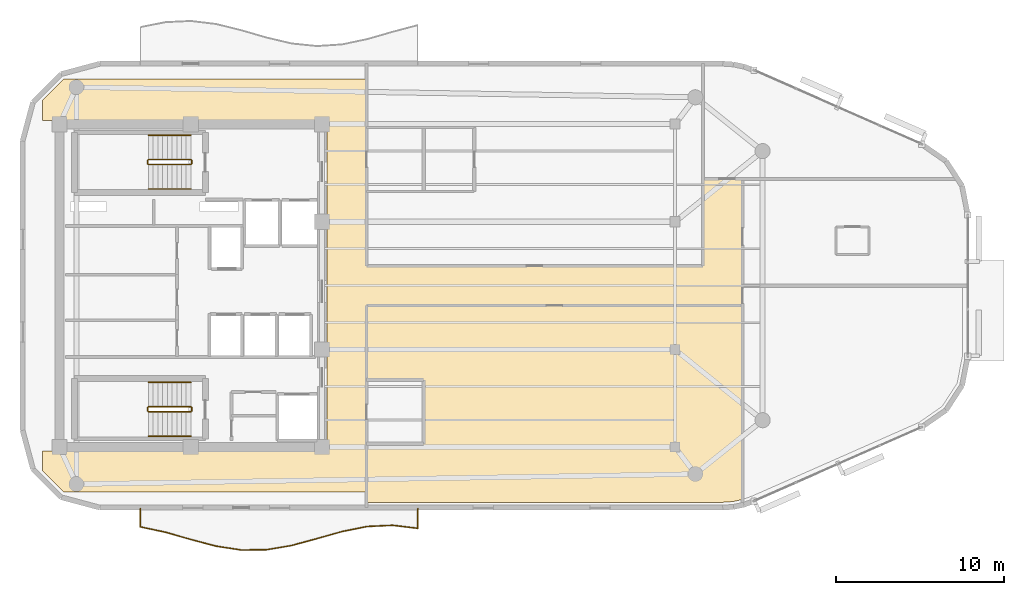
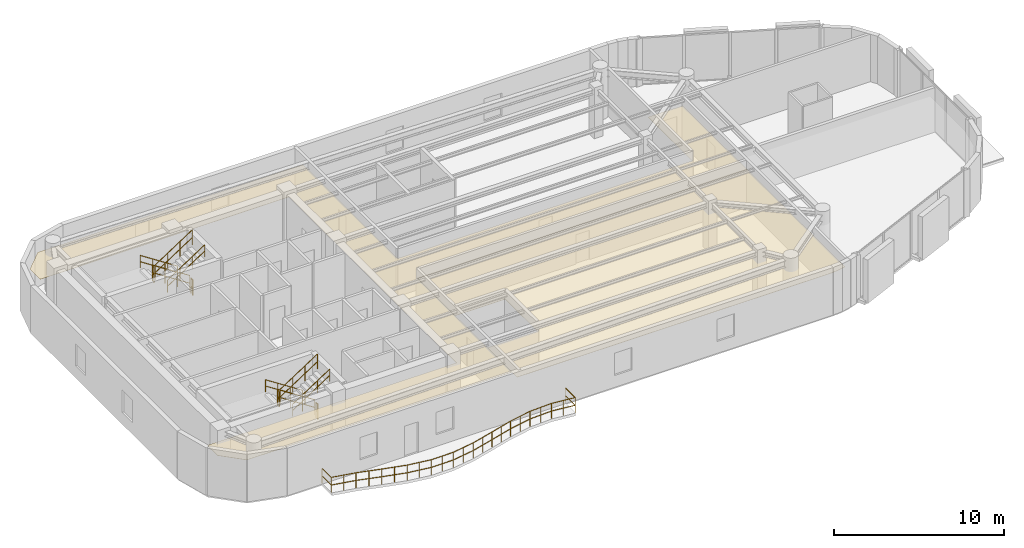
# One storey, part 11 of 12: 13 railings, 2 coverings.
"""IFC4 building model written with IfcOpenShell, lengths in metres."""

from ifc_helpers import new_model, si_unit, direction, frame, origin, origin_2d, place, context, subcontext, project, spatial, polyline, circle, outline, extrude, material, layer, layer_set, type_object, element, save


model = new_model("IFC4")

# Units and contexts
model_context = context("Model", 3, precision=1e-05, world=origin(), true_north=direction((0.0, 1.0)))
body_context = subcontext(model_context, "Body", "Model", "MODEL_VIEW")
ifc_project = project(units=[si_unit("LENGTHUNIT", "METRE"), si_unit("AREAUNIT", "SQUARE_METRE"), si_unit("VOLUMEUNIT", "CUBIC_METRE"), si_unit("PLANEANGLEUNIT", "RADIAN"), si_unit("MASSUNIT", "GRAM", prefix="KILO")], contexts=[model_context])

# Site, building, storey
site_placement = place(None, origin())
site = spatial("IfcSite", under=ifc_project, at=site_placement, CompositionType="ELEMENT")
building_placement = place(site_placement, origin())
building = spatial("IfcBuilding", under=site, at=building_placement, Name="An Khanh Terracotta Commons", CompositionType="ELEMENT")
storey_placement = place(building_placement, frame((0.0, 0.0, 291.64990234375)))
storey = spatial("IfcBuildingStorey", under=building, at=storey_placement, Name="L76", CompositionType="ELEMENT", Elevation=291.64990234375)

# Coverings
ifc_material_1 = material(Name="Perforated Mineral-Fibre Acoustic Tile")
ifc_layer = layer(ifc_material_1, 0.02001953125, Name="Perforated Mineral-Fibre Acoustic Tile")
ifc_layer_set = layer_set([ifc_layer], Name="Perforated Mineral-Fibre Acoustic Tile")
covering_type = type_object("IfcCoveringType", Name="CEIL-ACOUSTIC-18", PredefinedType="CEILING", material=ifc_layer_set)
covering_1_placement = place(storey_placement, frame((0.0, 0.0, 2.650146484375)))
element("IfcCovering", 1, at=covering_1_placement, inside=storey, type_object=covering_type, Name="L76 Corridor Ceiling", PredefinedType="CEILING", context=body_context, shape_type="SweptSolid", body=[
    extrude(outline(polyline([(21.84912109375, 11.719970703125), (20.60009765625, 12.968994140625), (20.60009765625, 14.179931640625), (37.5, 14.179931640625), (37.5, 33.820068359375), (20.60009765625, 33.820068359375), (20.60009765625, 35.031005859375), (21.84912109375, 36.280029296875), (37.5, 36.280029296875), (39.85009765625, 36.280029296875), (39.85009765625, 33.820068359375), (39.85009765625, 25.179931640625), (59.85009765625, 25.179931640625), (59.85009765625, 30.35009765625), (62.199951171875, 30.35009765625), (62.199951171875, 25.179931640625), (62.199951171875, 22.820068359375), (59.85009765625, 22.820068359375), (39.85009765625, 22.820068359375), (39.85009765625, 14.179931640625), (39.85009765625, 11.719970703125), (37.5, 11.719970703125), (21.84912109375, 11.719970703125)])), origin(), (0.0, 0.0, 1.0), 0.02001953125),
])
covering_2_placement = place(storey_placement, frame((0.0, 0.0, 2.650146484375)))
element("IfcCovering", 2, at=covering_2_placement, inside=storey, type_object=covering_type, Name="L76 Academic Seminar Room Ceiling", PredefinedType="CEILING", context=body_context, shape_type="SweptSolid", body=[
    extrude(outline(polyline([(61.62109375, 11.162109375), (61.01904296875, 11.1201171875), (39.85009765625, 11.1201171875), (39.85009765625, 11.719970703125), (39.85009765625, 14.179931640625), (39.85009765625, 14.60009765625), (43.25, 14.60009765625), (43.25, 18.39990234375), (39.85009765625, 18.39990234375), (39.85009765625, 22.820068359375), (59.85009765625, 22.820068359375), (62.199951171875, 22.820068359375), (62.199951171875, 11.282958984375), (61.62109375, 11.162109375)])), origin(), (0.0, 0.0, 1.0), 0.02001953125),
])

# Railings
ifc_material_2 = material(Name="Brushed Stainless Steel 316", Category="steel")
railing_type_1 = type_object("IfcRailingType", Name="RAIL-BALUSTRADE-1100", PredefinedType="BALUSTRADE", material=ifc_material_2)
railing_1_placement = place(storey_placement, frame((26.39990234375, 10.739990234375, 0.0)))
element("IfcRailing", 3, at=railing_1_placement, inside=storey, type_object=railing_type_1, Name="L76 S Wave Balcony Guard Balustrade", PredefinedType="BALUSTRADE", context=body_context, shape_type="SweptSolid", body=[
    extrude(circle(Radius=0.02392578125, at=origin_2d()), frame((0.0, 0.0, 1.076171875), z_axis=(0.0, -1.0, 0.0), x_axis=(1.0, 0.0, 0.0)), (0.0, 0.0, 1.0), 1.080078125),
    extrude(circle(Radius=0.02392578125, at=origin_2d()), frame((0.0, 0.0, 0.52587890625), z_axis=(0.0, -1.0, 0.0), x_axis=(1.0, 0.0, 0.0)), (0.0, 0.0, 1.0), 1.080078125),
    extrude(circle(Radius=0.02392578125, at=origin_2d()), frame((0.0, -1.080078125, 1.076171875), z_axis=(0.978275241205, -0.207310280607, 0.0), x_axis=(0.207310280607, 0.978275241205, 0.0)), (0.0, 0.0, 1.0), 1.533203125),
    extrude(circle(Radius=0.02392578125, at=origin_2d()), frame((0.0, -1.080078125, 0.52587890625), z_axis=(0.978275241205, -0.207310280607, 0.0), x_axis=(0.207310280607, 0.978275241205, 0.0)), (0.0, 0.0, 1.0), 1.533203125),
    extrude(circle(Radius=0.02392578125, at=origin_2d()), frame((1.5, -1.39794921875, 1.076171875), z_axis=(0.961293347262, -0.275526950607, 0.0), x_axis=(0.275526950607, 0.961293347262, 0.0)), (0.0, 0.0, 1.0), 1.560302734375),
    extrude(circle(Radius=0.02392578125, at=origin_2d()), frame((1.5, -1.39794921875, 0.52587890625), z_axis=(0.961293347262, -0.275526950607, 0.0), x_axis=(0.275526950607, 0.961293347262, 0.0)), (0.0, 0.0, 1.0), 1.560302734375),
    extrude(circle(Radius=0.02392578125, at=origin_2d()), frame((3.0, -1.827880859375, 1.076171875), z_axis=(0.966680039045, -0.255987699142, 0.0), x_axis=(0.255987699142, 0.966680039045, 0.0)), (0.0, 0.0, 1.0), 1.5517578125),
    extrude(circle(Radius=0.02392578125, at=origin_2d()), frame((3.0, -1.827880859375, 0.52587890625), z_axis=(0.966680039045, -0.255987699142, 0.0), x_axis=(0.255987699142, 0.966680039045, 0.0)), (0.0, 0.0, 1.0), 1.5517578125),
    extrude(circle(Radius=0.02392578125, at=origin_2d()), frame((4.5, -2.22509765625, 1.076171875), z_axis=(0.988545890906, -0.15092058035, 0.0), x_axis=(0.15092058035, 0.988545890906, 0.0)), (0.0, 0.0, 1.0), 1.517333984375),
    extrude(circle(Radius=0.02392578125, at=origin_2d()), frame((4.5, -2.22509765625, 0.52587890625), z_axis=(0.988545890906, -0.15092058035, 0.0), x_axis=(0.15092058035, 0.988545890906, 0.0)), (0.0, 0.0, 1.0), 1.517333984375),
    extrude(circle(Radius=0.02392578125, at=origin_2d()), frame((6.0, -2.4541015625, 1.076171875), z_axis=(0.999955445195, 0.009439683565, 0.0), x_axis=(-0.009439683565, 0.999955445195, 0.0)), (0.0, 0.0, 1.0), 1.5),
    extrude(circle(Radius=0.02392578125, at=origin_2d()), frame((6.0, -2.4541015625, 0.52587890625), z_axis=(0.999955445195, 0.009439683565, 0.0), x_axis=(-0.009439683565, 0.999955445195, 0.0)), (0.0, 0.0, 1.0), 1.5),
    extrude(circle(Radius=0.02392578125, at=origin_2d()), frame((7.5, -2.43994140625, 1.076171875), z_axis=(0.986079829755, 0.16627257546, 0.0), x_axis=(-0.16627257546, 0.986079829755, 0.0)), (0.0, 0.0, 1.0), 1.521240234375),
    extrude(circle(Radius=0.02392578125, at=origin_2d()), frame((7.5, -2.43994140625, 0.52587890625), z_axis=(0.986079829755, 0.16627257546, 0.0), x_axis=(-0.16627257546, 0.986079829755, 0.0)), (0.0, 0.0, 1.0), 1.521240234375),
    extrude(circle(Radius=0.02392578125, at=origin_2d()), frame((9.0, -2.18701171875, 1.076171875), z_axis=(0.964948425307, 0.262439586375, 0.0), x_axis=(-0.262439586375, 0.964948425307, 0.0)), (0.0, 0.0, 1.0), 1.554443359375),
    extrude(circle(Radius=0.02392578125, at=origin_2d()), frame((9.0, -2.18701171875, 0.52587890625), z_axis=(0.964948425307, 0.262439586375, 0.0), x_axis=(-0.262439586375, 0.964948425307, 0.0)), (0.0, 0.0, 1.0), 1.554443359375),
    extrude(circle(Radius=0.02392578125, at=origin_2d()), frame((10.5, -1.779052734375, 1.076171875), z_axis=(0.962282666556, 0.272051593719, 0.0), x_axis=(-0.272051593719, 0.962282666556, 0.0)), (0.0, 0.0, 1.0), 1.558837890625),
    extrude(circle(Radius=0.02392578125, at=origin_2d()), frame((10.5, -1.779052734375, 0.52587890625), z_axis=(0.962282666556, 0.272051593719, 0.0), x_axis=(-0.272051593719, 0.962282666556, 0.0)), (0.0, 0.0, 1.0), 1.558837890625),
    extrude(circle(Radius=0.02392578125, at=origin_2d()), frame((12.0, -1.35498046875, 1.076171875), z_axis=(0.980819402607, 0.194918699639, 0.0), x_axis=(-0.194918699639, 0.980819402607, 0.0)), (0.0, 0.0, 1.0), 1.529296875),
    extrude(circle(Radius=0.02392578125, at=origin_2d()), frame((12.0, -1.35498046875, 0.52587890625), z_axis=(0.980819402607, 0.194918699639, 0.0), x_axis=(-0.194918699639, 0.980819402607, 0.0)), (0.0, 0.0, 1.0), 1.529296875),
    extrude(circle(Radius=0.02392578125, at=origin_2d()), frame((13.5, -1.056884765625, 1.076171875), z_axis=(0.998887913276, 0.047148029761, 0.0), x_axis=(-0.047148029761, 0.998887913276, 0.0)), (0.0, 0.0, 1.0), 1.501708984375),
    extrude(circle(Radius=0.02392578125, at=origin_2d()), frame((13.5, -1.056884765625, 0.52587890625), z_axis=(0.998887913276, 0.047148029761, 0.0), x_axis=(-0.047148029761, 0.998887913276, 0.0)), (0.0, 0.0, 1.0), 1.501708984375),
    extrude(circle(Radius=0.02392578125, at=origin_2d()), frame((15.0, -0.986083984375, 1.076171875), z_axis=(0.99288219023, -0.11910061429, 0.0), x_axis=(0.11910061429, 0.99288219023, 0.0)), (0.0, 0.0, 1.0), 1.5107421875),
    extrude(circle(Radius=0.02392578125, at=origin_2d()), frame((15.0, -0.986083984375, 0.52587890625), z_axis=(0.99288219023, -0.11910061429, 0.0), x_axis=(0.11910061429, 0.99288219023, 0.0)), (0.0, 0.0, 1.0), 1.5107421875),
    extrude(circle(Radius=0.02392578125, at=origin_2d()), frame((16.5, -1.166015625, 1.076171875), z_axis=(0.0, 1.0, 0.0), x_axis=(-1.0, 0.0, 0.0)), (0.0, 0.0, 1.0), 1.166015625),
    extrude(circle(Radius=0.02392578125, at=origin_2d()), frame((16.5, -1.166015625, 0.52587890625), z_axis=(0.0, 1.0, 0.0), x_axis=(-1.0, 0.0, 0.0)), (0.0, 0.0, 1.0), 1.166015625),
    extrude(circle(Radius=0.02099609375, at=origin_2d()), origin(), (0.0, 0.0, 1.0), 1.052001953125),
    extrude(circle(Radius=0.02099609375, at=origin_2d()), frame((0.0, -1.080078125, 0.0)), (0.0, 0.0, 1.0), 1.052001953125),
    extrude(circle(Radius=0.02099609375, at=origin_2d()), frame((0.75, -1.239013671875, 0.0)), (0.0, 0.0, 1.0), 1.052001953125),
    extrude(circle(Radius=0.02099609375, at=origin_2d()), frame((1.5, -1.39794921875, 0.0)), (0.0, 0.0, 1.0), 1.052001953125),
    extrude(circle(Radius=0.02099609375, at=origin_2d()), frame((2.25, -1.61279296875, 0.0)), (0.0, 0.0, 1.0), 1.052001953125),
    extrude(circle(Radius=0.02099609375, at=origin_2d()), frame((3.0, -1.827880859375, 0.0)), (0.0, 0.0, 1.0), 1.052001953125),
    extrude(circle(Radius=0.02099609375, at=origin_2d()), frame((3.75, -2.0263671875, 0.0)), (0.0, 0.0, 1.0), 1.052001953125),
    extrude(circle(Radius=0.02099609375, at=origin_2d()), frame((4.5, -2.22509765625, 0.0)), (0.0, 0.0, 1.0), 1.052001953125),
    extrude(circle(Radius=0.02099609375, at=origin_2d()), frame((5.25, -2.339599609375, 0.0)), (0.0, 0.0, 1.0), 1.052001953125),
    extrude(circle(Radius=0.02099609375, at=origin_2d()), frame((6.0, -2.4541015625, 0.0)), (0.0, 0.0, 1.0), 1.052001953125),
    extrude(circle(Radius=0.02099609375, at=origin_2d()), frame((6.75, -2.447021484375, 0.0)), (0.0, 0.0, 1.0), 1.052001953125),
    extrude(circle(Radius=0.02099609375, at=origin_2d()), frame((7.5, -2.43994140625, 0.0)), (0.0, 0.0, 1.0), 1.052001953125),
    extrude(circle(Radius=0.02099609375, at=origin_2d()), frame((8.25, -2.3134765625, 0.0)), (0.0, 0.0, 1.0), 1.052001953125),
    extrude(circle(Radius=0.02099609375, at=origin_2d()), frame((9.0, -2.18701171875, 0.0)), (0.0, 0.0, 1.0), 1.052001953125),
    extrude(circle(Radius=0.02099609375, at=origin_2d()), frame((9.75, -1.98291015625, 0.0)), (0.0, 0.0, 1.0), 1.052001953125),
    extrude(circle(Radius=0.02099609375, at=origin_2d()), frame((10.5, -1.779052734375, 0.0)), (0.0, 0.0, 1.0), 1.052001953125),
    extrude(circle(Radius=0.02099609375, at=origin_2d()), frame((11.25, -1.56689453125, 0.0)), (0.0, 0.0, 1.0), 1.052001953125),
    extrude(circle(Radius=0.02099609375, at=origin_2d()), frame((12.0, -1.35498046875, 0.0)), (0.0, 0.0, 1.0), 1.052001953125),
    extrude(circle(Radius=0.02099609375, at=origin_2d()), frame((12.75, -1.2060546875, 0.0)), (0.0, 0.0, 1.0), 1.052001953125),
    extrude(circle(Radius=0.02099609375, at=origin_2d()), frame((13.5, -1.056884765625, 0.0)), (0.0, 0.0, 1.0), 1.052001953125),
    extrude(circle(Radius=0.02099609375, at=origin_2d()), frame((14.25, -1.021484375, 0.0)), (0.0, 0.0, 1.0), 1.052001953125),
    extrude(circle(Radius=0.02099609375, at=origin_2d()), frame((15.0, -0.986083984375, 0.0)), (0.0, 0.0, 1.0), 1.052001953125),
    extrude(circle(Radius=0.02099609375, at=origin_2d()), frame((15.75, -1.076171875, 0.0)), (0.0, 0.0, 1.0), 1.052001953125),
    extrude(circle(Radius=0.02099609375, at=origin_2d()), frame((16.5, -1.166015625, 0.0)), (0.0, 0.0, 1.0), 1.052001953125),
    extrude(circle(Radius=0.02099609375, at=origin_2d()), frame((16.5, 0.0, 0.0)), (0.0, 0.0, 1.0), 1.052001953125),
])
railing_type_2 = type_object("IfcRailingType", Name="RAIL-HANDRAIL-900", PredefinedType="HANDRAIL", material=ifc_material_2)
railing_2_placement = place(storey_placement, frame((29.409912109375, 32.949951171875, 0.1826171875)))
element("IfcRailing", 4, at=railing_2_placement, inside=storey, type_object=railing_type_2, Name="L76 ST-01 stair handrail 1", PredefinedType="HANDRAIL", context=body_context, shape_type="SweptSolid", body=[
    extrude(circle(Radius=0.02392578125, at=origin_2d()), frame((0.0, 0.0, 0.8759765625), z_axis=(-0.837749427056, 0.0, 0.546054848405), x_axis=(0.0, -1.0, 0.0)), (0.0, 0.0, 1.0), 3.008056640625),
    extrude(circle(Radius=0.02392578125, at=origin_2d()), frame((0.0, 0.0, 0.42578125), z_axis=(-0.837749427056, 0.0, 0.546054848405), x_axis=(0.0, -1.0, 0.0)), (0.0, 0.0, 1.0), 3.008056640625),
    extrude(circle(Radius=0.02099609375, at=origin_2d()), origin(), (0.0, 0.0, 1.0), 0.851806640625),
    extrude(circle(Radius=0.02099609375, at=origin_2d()), frame((-0.840087890625, 0.0, 0.547607421875)), (0.0, 0.0, 1.0), 0.851806640625),
    extrude(circle(Radius=0.02099609375, at=origin_2d()), frame((-1.679931640625, 0.0, 1.094970703125)), (0.0, 0.0, 1.0), 0.851806640625),
    extrude(circle(Radius=0.02099609375, at=origin_2d()), frame((-2.52001953125, 0.0, 1.642578125)), (0.0, 0.0, 1.0), 0.851806640625),
])
railing_3_placement = place(storey_placement, frame((26.889892578125, 29.75, 2.007568359375)))
element("IfcRailing", 5, at=railing_3_placement, inside=storey, type_object=railing_type_2, Name="L76 ST-01 stair handrail 2", PredefinedType="HANDRAIL", context=body_context, shape_type="SweptSolid", body=[
    extrude(circle(Radius=0.02392578125, at=origin_2d()), frame((0.0, 0.0, 0.8759765625), z_axis=(0.837749427056, 0.0, 0.546054848405), x_axis=(0.0, 1.0, 0.0)), (0.0, 0.0, 1.0), 3.008056640625),
    extrude(circle(Radius=0.02392578125, at=origin_2d()), frame((0.0, 0.0, 0.42578125), z_axis=(0.837749427056, 0.0, 0.546054848405), x_axis=(0.0, 1.0, 0.0)), (0.0, 0.0, 1.0), 3.008056640625),
    extrude(circle(Radius=0.02099609375, at=origin_2d()), origin(), (0.0, 0.0, 1.0), 0.851806640625),
    extrude(circle(Radius=0.02099609375, at=origin_2d()), frame((0.840087890625, 0.0, 0.547607421875)), (0.0, 0.0, 1.0), 0.851806640625),
    extrude(circle(Radius=0.02099609375, at=origin_2d()), frame((1.679931640625, 0.0, 1.094970703125)), (0.0, 0.0, 1.0), 0.851806640625),
    extrude(circle(Radius=0.02099609375, at=origin_2d()), frame((2.52001953125, 0.0, 1.642578125)), (0.0, 0.0, 1.0), 0.851806640625),
])
railing_4_placement = place(storey_placement, frame((29.409912109375, 18.25, 0.1826171875)))
element("IfcRailing", 6, at=railing_4_placement, inside=storey, type_object=railing_type_2, Name="L76 ST-02 stair handrail 1", PredefinedType="HANDRAIL", context=body_context, shape_type="SweptSolid", body=[
    extrude(circle(Radius=0.02392578125, at=origin_2d()), frame((0.0, 0.0, 0.8759765625), z_axis=(-0.837749427056, 0.0, 0.546054848405), x_axis=(0.0, -1.0, 0.0)), (0.0, 0.0, 1.0), 3.008056640625),
    extrude(circle(Radius=0.02392578125, at=origin_2d()), frame((0.0, 0.0, 0.42578125), z_axis=(-0.837749427056, 0.0, 0.546054848405), x_axis=(0.0, -1.0, 0.0)), (0.0, 0.0, 1.0), 3.008056640625),
    extrude(circle(Radius=0.02099609375, at=origin_2d()), origin(), (0.0, 0.0, 1.0), 0.851806640625),
    extrude(circle(Radius=0.02099609375, at=origin_2d()), frame((-0.840087890625, 0.0, 0.547607421875)), (0.0, 0.0, 1.0), 0.851806640625),
    extrude(circle(Radius=0.02099609375, at=origin_2d()), frame((-1.679931640625, 0.0, 1.094970703125)), (0.0, 0.0, 1.0), 0.851806640625),
    extrude(circle(Radius=0.02099609375, at=origin_2d()), frame((-2.52001953125, 0.0, 1.642578125)), (0.0, 0.0, 1.0), 0.851806640625),
])
railing_5_placement = place(storey_placement, frame((26.889892578125, 15.050048828125, 2.007568359375)))
element("IfcRailing", 7, at=railing_5_placement, inside=storey, type_object=railing_type_2, Name="L76 ST-02 stair handrail 2", PredefinedType="HANDRAIL", context=body_context, shape_type="SweptSolid", body=[
    extrude(circle(Radius=0.02392578125, at=origin_2d()), frame((0.0, 0.0, 0.8759765625), z_axis=(0.837749427056, 0.0, 0.546054848405), x_axis=(0.0, 1.0, 0.0)), (0.0, 0.0, 1.0), 3.008056640625),
    extrude(circle(Radius=0.02392578125, at=origin_2d()), frame((0.0, 0.0, 0.42578125), z_axis=(0.837749427056, 0.0, 0.546054848405), x_axis=(0.0, 1.0, 0.0)), (0.0, 0.0, 1.0), 3.008056640625),
    extrude(circle(Radius=0.02099609375, at=origin_2d()), origin(), (0.0, 0.0, 1.0), 0.851806640625),
    extrude(circle(Radius=0.02099609375, at=origin_2d()), frame((0.840087890625, 0.0, 0.547607421875)), (0.0, 0.0, 1.0), 0.851806640625),
    extrude(circle(Radius=0.02099609375, at=origin_2d()), frame((1.679931640625, 0.0, 1.094970703125)), (0.0, 0.0, 1.0), 0.851806640625),
    extrude(circle(Radius=0.02099609375, at=origin_2d()), frame((2.52001953125, 0.0, 1.642578125)), (0.0, 0.0, 1.0), 0.851806640625),
])
ifc_material_3 = material(Name="Powder-Coated Steel S355J2", Category="steel")
railing_type_3 = type_object("IfcRailingType", Name="RAIL-STAIR-GUARD-1100", PredefinedType="BALUSTRADE", material=ifc_material_3)
railing_6_placement = place(storey_placement, frame((29.409912109375, 31.5, 0.1826171875)))
element("IfcRailing", 8, at=railing_6_placement, inside=storey, type_object=railing_type_3, Name="L76 ST-01 stair guard 1", PredefinedType="BALUSTRADE", context=body_context, shape_type="SweptSolid", body=[
    extrude(circle(Radius=0.02392578125, at=origin_2d()), frame((0.0, 0.0, 1.076171875), z_axis=(-0.837749427056, 0.0, 0.546054848405), x_axis=(0.0, -1.0, 0.0)), (0.0, 0.0, 1.0), 3.008056640625),
    extrude(circle(Radius=0.02392578125, at=origin_2d()), frame((0.0, 0.0, 0.52587890625), z_axis=(-0.837749427056, 0.0, 0.546054848405), x_axis=(0.0, -1.0, 0.0)), (0.0, 0.0, 1.0), 3.008056640625),
    extrude(circle(Radius=0.02099609375, at=origin_2d()), origin(), (0.0, 0.0, 1.0), 1.052001953125),
    extrude(circle(Radius=0.02099609375, at=origin_2d()), frame((-0.840087890625, 0.0, 0.547607421875)), (0.0, 0.0, 1.0), 1.052001953125),
    extrude(circle(Radius=0.02099609375, at=origin_2d()), frame((-1.679931640625, 0.0, 1.094970703125)), (0.0, 0.0, 1.0), 1.052001953125),
    extrude(circle(Radius=0.02099609375, at=origin_2d()), frame((-2.52001953125, 0.0, 1.642578125)), (0.0, 0.0, 1.0), 1.052001953125),
])
railing_7_placement = place(storey_placement, frame((26.840087890625, 31.449951171875, 1.8251953125)))
element("IfcRailing", 9, at=railing_7_placement, inside=storey, type_object=railing_type_3, Name="L76 ST-01 stair guard 2", PredefinedType="BALUSTRADE", context=body_context, shape_type="SweptSolid", body=[
    extrude(circle(Radius=0.02392578125, at=origin_2d()), frame((0.0, 0.0, 1.076171875), z_axis=(0.0, -1.0, 0.0), x_axis=(1.0, 0.0, 0.0)), (0.0, 0.0, 1.0), 0.199951171875),
    extrude(circle(Radius=0.02392578125, at=origin_2d()), frame((0.0, 0.0, 0.52587890625), z_axis=(0.0, -1.0, 0.0), x_axis=(1.0, 0.0, 0.0)), (0.0, 0.0, 1.0), 0.199951171875),
    extrude(circle(Radius=0.02099609375, at=origin_2d()), origin(), (0.0, 0.0, 1.0), 1.052001953125),
    extrude(circle(Radius=0.02099609375, at=origin_2d()), frame((0.0, -0.199951171875, 0.0)), (0.0, 0.0, 1.0), 1.052001953125),
])
railing_8_placement = place(storey_placement, frame((26.889892578125, 31.199951171875, 2.007568359375)))
element("IfcRailing", 10, at=railing_8_placement, inside=storey, type_object=railing_type_3, Name="L76 ST-01 stair guard 3", PredefinedType="BALUSTRADE", context=body_context, shape_type="SweptSolid", body=[
    extrude(circle(Radius=0.02392578125, at=origin_2d()), frame((0.0, 0.0, 1.076171875), z_axis=(0.837749427056, 0.0, 0.546054848405), x_axis=(0.0, 1.0, 0.0)), (0.0, 0.0, 1.0), 3.008056640625),
    extrude(circle(Radius=0.02392578125, at=origin_2d()), frame((0.0, 0.0, 0.52587890625), z_axis=(0.837749427056, 0.0, 0.546054848405), x_axis=(0.0, 1.0, 0.0)), (0.0, 0.0, 1.0), 3.008056640625),
    extrude(circle(Radius=0.02099609375, at=origin_2d()), origin(), (0.0, 0.0, 1.0), 1.052001953125),
    extrude(circle(Radius=0.02099609375, at=origin_2d()), frame((0.840087890625, 0.0, 0.547607421875)), (0.0, 0.0, 1.0), 1.052001953125),
    extrude(circle(Radius=0.02099609375, at=origin_2d()), frame((1.679931640625, 0.0, 1.094970703125)), (0.0, 0.0, 1.0), 1.052001953125),
    extrude(circle(Radius=0.02099609375, at=origin_2d()), frame((2.52001953125, 0.0, 1.642578125)), (0.0, 0.0, 1.0), 1.052001953125),
])
railing_9_placement = place(storey_placement, frame((29.4599609375, 31.449951171875, 0.0)))
element("IfcRailing", 11, at=railing_9_placement, inside=storey, type_object=railing_type_3, Name="L76 ST-01 stair guard 4", PredefinedType="BALUSTRADE", context=body_context, shape_type="SweptSolid", body=[
    extrude(circle(Radius=0.02392578125, at=origin_2d()), frame((0.0, 0.0, 1.076171875), z_axis=(0.0, -1.0, 0.0), x_axis=(1.0, 0.0, 0.0)), (0.0, 0.0, 1.0), 0.199951171875),
    extrude(circle(Radius=0.02392578125, at=origin_2d()), frame((0.0, 0.0, 0.52587890625), z_axis=(0.0, -1.0, 0.0), x_axis=(1.0, 0.0, 0.0)), (0.0, 0.0, 1.0), 0.199951171875),
    extrude(circle(Radius=0.02099609375, at=origin_2d()), origin(), (0.0, 0.0, 1.0), 1.052001953125),
    extrude(circle(Radius=0.02099609375, at=origin_2d()), frame((0.0, -0.199951171875, 0.0)), (0.0, 0.0, 1.0), 1.052001953125),
])
railing_10_placement = place(storey_placement, frame((29.409912109375, 16.800048828125, 0.1826171875)))
element("IfcRailing", 12, at=railing_10_placement, inside=storey, type_object=railing_type_3, Name="L76 ST-02 stair guard 1", PredefinedType="BALUSTRADE", context=body_context, shape_type="SweptSolid", body=[
    extrude(circle(Radius=0.02392578125, at=origin_2d()), frame((0.0, 0.0, 1.076171875), z_axis=(-0.837749427056, 0.0, 0.546054848405), x_axis=(0.0, -1.0, 0.0)), (0.0, 0.0, 1.0), 3.008056640625),
    extrude(circle(Radius=0.02392578125, at=origin_2d()), frame((0.0, 0.0, 0.52587890625), z_axis=(-0.837749427056, 0.0, 0.546054848405), x_axis=(0.0, -1.0, 0.0)), (0.0, 0.0, 1.0), 3.008056640625),
    extrude(circle(Radius=0.02099609375, at=origin_2d()), origin(), (0.0, 0.0, 1.0), 1.052001953125),
    extrude(circle(Radius=0.02099609375, at=origin_2d()), frame((-0.840087890625, 0.0, 0.547607421875)), (0.0, 0.0, 1.0), 1.052001953125),
    extrude(circle(Radius=0.02099609375, at=origin_2d()), frame((-1.679931640625, 0.0, 1.094970703125)), (0.0, 0.0, 1.0), 1.052001953125),
    extrude(circle(Radius=0.02099609375, at=origin_2d()), frame((-2.52001953125, 0.0, 1.642578125)), (0.0, 0.0, 1.0), 1.052001953125),
])
railing_11_placement = place(storey_placement, frame((26.840087890625, 16.75, 1.8251953125)))
element("IfcRailing", 13, at=railing_11_placement, inside=storey, type_object=railing_type_3, Name="L76 ST-02 stair guard 2", PredefinedType="BALUSTRADE", context=body_context, shape_type="SweptSolid", body=[
    extrude(circle(Radius=0.02392578125, at=origin_2d()), frame((0.0, 0.0, 1.076171875), z_axis=(0.0, -1.0, 0.0), x_axis=(1.0, 0.0, 0.0)), (0.0, 0.0, 1.0), 0.199951171875),
    extrude(circle(Radius=0.02392578125, at=origin_2d()), frame((0.0, 0.0, 0.52587890625), z_axis=(0.0, -1.0, 0.0), x_axis=(1.0, 0.0, 0.0)), (0.0, 0.0, 1.0), 0.199951171875),
    extrude(circle(Radius=0.02099609375, at=origin_2d()), origin(), (0.0, 0.0, 1.0), 1.052001953125),
    extrude(circle(Radius=0.02099609375, at=origin_2d()), frame((0.0, -0.199951171875, 0.0)), (0.0, 0.0, 1.0), 1.052001953125),
])
railing_12_placement = place(storey_placement, frame((26.889892578125, 16.5, 2.007568359375)))
element("IfcRailing", 14, at=railing_12_placement, inside=storey, type_object=railing_type_3, Name="L76 ST-02 stair guard 3", PredefinedType="BALUSTRADE", context=body_context, shape_type="SweptSolid", body=[
    extrude(circle(Radius=0.02392578125, at=origin_2d()), frame((0.0, 0.0, 1.076171875), z_axis=(0.837749427056, 0.0, 0.546054848405), x_axis=(0.0, 1.0, 0.0)), (0.0, 0.0, 1.0), 3.008056640625),
    extrude(circle(Radius=0.02392578125, at=origin_2d()), frame((0.0, 0.0, 0.52587890625), z_axis=(0.837749427056, 0.0, 0.546054848405), x_axis=(0.0, 1.0, 0.0)), (0.0, 0.0, 1.0), 3.008056640625),
    extrude(circle(Radius=0.02099609375, at=origin_2d()), origin(), (0.0, 0.0, 1.0), 1.052001953125),
    extrude(circle(Radius=0.02099609375, at=origin_2d()), frame((0.840087890625, 0.0, 0.547607421875)), (0.0, 0.0, 1.0), 1.052001953125),
    extrude(circle(Radius=0.02099609375, at=origin_2d()), frame((1.679931640625, 0.0, 1.094970703125)), (0.0, 0.0, 1.0), 1.052001953125),
    extrude(circle(Radius=0.02099609375, at=origin_2d()), frame((2.52001953125, 0.0, 1.642578125)), (0.0, 0.0, 1.0), 1.052001953125),
])
railing_13_placement = place(storey_placement, frame((29.4599609375, 16.75, 0.0)))
element("IfcRailing", 15, at=railing_13_placement, inside=storey, type_object=railing_type_3, Name="L76 ST-02 stair guard 4", PredefinedType="BALUSTRADE", context=body_context, shape_type="SweptSolid", body=[
    extrude(circle(Radius=0.02392578125, at=origin_2d()), frame((0.0, 0.0, 1.076171875), z_axis=(0.0, -1.0, 0.0), x_axis=(1.0, 0.0, 0.0)), (0.0, 0.0, 1.0), 0.199951171875),
    extrude(circle(Radius=0.02392578125, at=origin_2d()), frame((0.0, 0.0, 0.52587890625), z_axis=(0.0, -1.0, 0.0), x_axis=(1.0, 0.0, 0.0)), (0.0, 0.0, 1.0), 0.199951171875),
    extrude(circle(Radius=0.02099609375, at=origin_2d()), origin(), (0.0, 0.0, 1.0), 1.052001953125),
    extrude(circle(Radius=0.02099609375, at=origin_2d()), frame((0.0, -0.199951171875, 0.0)), (0.0, 0.0, 1.0), 1.052001953125),
])

save(model, "model.ifc")
